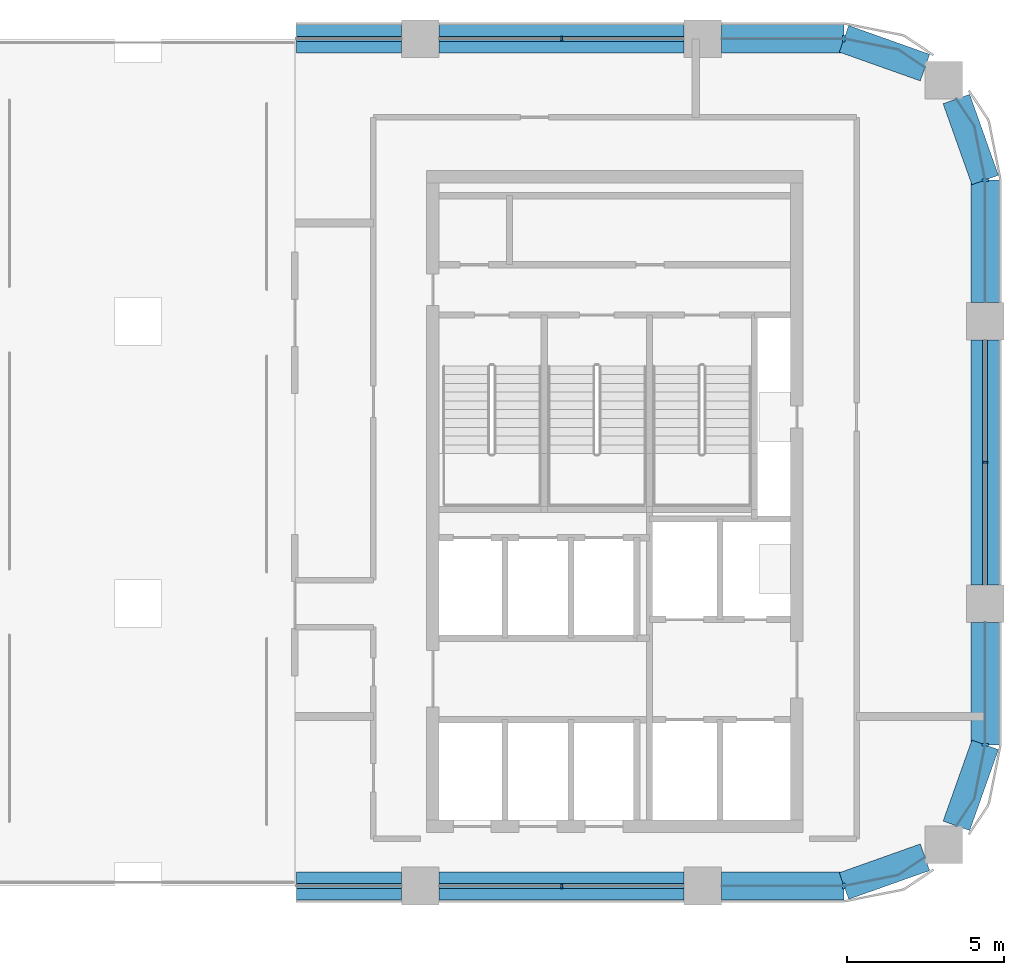
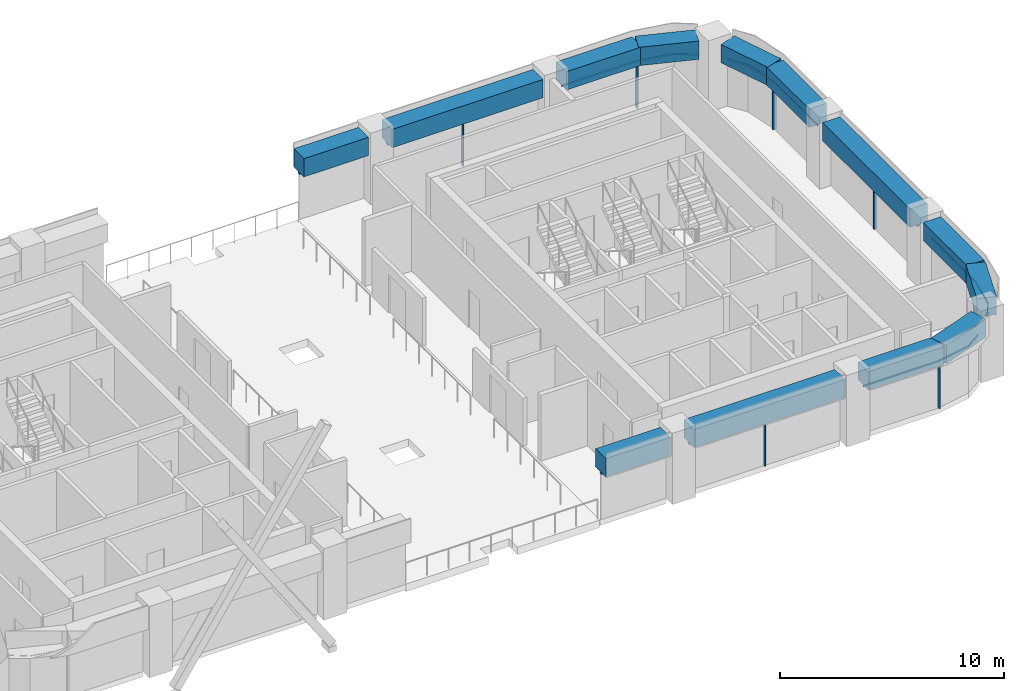
# One storey, part 3 of 11: 16 members, 13 beams, 9 elements without a shape of their own.
"""IFC4 building model written with IfcOpenShell, lengths in metres."""

from ifc_helpers import new_model, si_unit, direction, frame, origin, origin_2d, place, context, subcontext, project, spatial, polyline, rectangle, outline, extrude, material, material_profile, profile_set, type_object, element, aggregate, save


model = new_model("IFC4")

# Units and contexts
model_context = context("Model", 3, precision=1e-05, world=origin(), true_north=direction((0.0, 1.0)))
body_context = subcontext(model_context, "Body", "Model", "MODEL_VIEW")
ifc_project = project(units=[si_unit("LENGTHUNIT", "METRE"), si_unit("AREAUNIT", "SQUARE_METRE"), si_unit("VOLUMEUNIT", "CUBIC_METRE"), si_unit("PLANEANGLEUNIT", "RADIAN"), si_unit("MASSUNIT", "GRAM", prefix="KILO")], contexts=[model_context])

# Site, building, storey
site_placement = place(None, origin())
site = spatial("IfcSite", under=ifc_project, at=site_placement, CompositionType="ELEMENT")
building_placement = place(site_placement, origin())
building = spatial("IfcBuilding", under=site, at=building_placement, Name="Tessera Arch", CompositionType="ELEMENT")
storey_placement = place(building_placement, frame((0.0, 0.0, 203.300048828125)))
storey = spatial("IfcBuildingStorey", under=building, at=storey_placement, Name="L48", CompositionType="ELEMENT", Elevation=203.300048828125)

# Curtain wall, member
ifc_material_1 = material(Name="CW1 curtain wall")
curtain_wall_type_1 = type_object("IfcCurtainWallType", Name="CW1 curtain wall", PredefinedType="NOTDEFINED", material=ifc_material_1)
curtain_wall_1_placement = place(storey_placement, origin())
curtain_wall_1 = element("IfcCurtainWall", 1, at=curtain_wall_1_placement, inside=storey, type_object=curtain_wall_type_1, Name="CW1 curtain wall S27.32/1 L48", PredefinedType="NOTDEFINED")
ifc_material_2 = material(Name="Anodised aluminium pale metal", Category="aluminium")
ifc_material_profile_1 = material_profile(ifc_material_2, rectangle(XDim=0.159912109375, YDim=0.06005859375, at=origin_2d()), Name="AL 60x160")
ifc_profile_set_1 = profile_set([ifc_material_profile_1], Name="Anodised aluminium pale metal")
member_type_1 = type_object("IfcMemberType", Name="CW1 mullion", PredefinedType="MULLION", material=ifc_profile_set_1)
member_1_placement = place(storey_placement, frame((40.5, 27.0, 0.0), z_axis=(0.0, 0.0, 1.0), x_axis=(0.0, 1.0, 0.0)))
member_1 = element("IfcMember", 2, at=member_1_placement, type_object=member_type_1, Name="CW1 mullion S27.32/1 1", PredefinedType="MULLION", context=body_context, shape_type="SweptSolid", body=[
    extrude(rectangle(XDim=0.159912109375, YDim=0.06005859375, at=origin_2d()), origin(), (0.0, 0.0, 1.0), 2.5),
])

curtain_wall_2_placement = place(storey_placement, origin())
curtain_wall_2 = element("IfcCurtainWall", 3, at=curtain_wall_2_placement, inside=storey, type_object=curtain_wall_type_1, Name="CW1 curtain wall E54.27/1 L48", PredefinedType="NOTDEFINED")
member_2_placement = place(storey_placement, frame((54.0, 40.5, 0.0), z_axis=(0.0, 0.0, 1.0), x_axis=(-1.0, 0.0, 0.0)))
member_2 = element("IfcMember", 4, at=member_2_placement, type_object=member_type_1, Name="CW1 mullion E54.27/1 1", PredefinedType="MULLION", context=body_context, shape_type="SweptSolid", body=[
    extrude(rectangle(XDim=0.159912109375, YDim=0.06005859375, at=origin_2d()), origin(), (0.0, 0.0, 1.0), 2.5),
])

curtain_wall_3_placement = place(storey_placement, origin())
curtain_wall_3 = element("IfcCurtainWall", 5, at=curtain_wall_3_placement, inside=storey, type_object=curtain_wall_type_1, Name="CW1 curtain wall N54.32/1 L48", PredefinedType="NOTDEFINED")
member_3_placement = place(storey_placement, frame((40.5, 54.0, 0.0), z_axis=(0.0, 0.0, 1.0), x_axis=(0.0, -1.0, 0.0)))
member_3 = element("IfcMember", 6, at=member_3_placement, type_object=member_type_1, Name="CW1 mullion N54.32/1 1", PredefinedType="MULLION", context=body_context, shape_type="SweptSolid", body=[
    extrude(rectangle(XDim=0.159912109375, YDim=0.06005859375, at=origin_2d()), origin(), (0.0, 0.0, 1.0), 2.5),
])

curtain_wall_4_placement = place(storey_placement, origin())
curtain_wall_4 = element("IfcCurtainWall", 7, at=curtain_wall_4_placement, inside=storey, type_object=curtain_wall_type_1, Name="CW1 curtain wall S27.32/0 L48", PredefinedType="NOTDEFINED")
ifc_material_3 = material(Name="Anodised aluminium pale metal", Category="aluminium")
ifc_material_profile_2 = material_profile(ifc_material_3, rectangle(XDim=0.159912109375, YDim=0.10009765625, at=origin_2d()), Name="AL 160x100")
ifc_profile_set_2 = profile_set([ifc_material_profile_2], Name="Anodised aluminium pale metal")
member_type_2 = type_object("IfcMemberType", Name="CW1 transom", PredefinedType="USERDEFINED", material=ifc_profile_set_2)
member_4_placement = place(storey_placement, frame((32.050048828125, 27.0, 2.550048828125), z_axis=(1.0, 0.0, 0.0), x_axis=(0.0, 1.0, 0.0)))
member_4 = element("IfcMember", 8, at=member_4_placement, type_object=member_type_2, Name="CW1 transom S27.32/0 1.1", ObjectType="TRANSOM", PredefinedType="USERDEFINED", context=body_context, shape_type="SweptSolid", body=[
    extrude(rectangle(XDim=0.159912109375, YDim=0.10009765625, at=origin_2d()), origin(), (0.0, 0.0, 1.0), 3.349853515625),
])
aggregate(curtain_wall_4, [member_4])

# Member
member_5_placement = place(storey_placement, frame((36.60009765625, 27.0, 2.550048828125), z_axis=(1.0, 0.0, 0.0), x_axis=(0.0, 1.0, 0.0)))
member_5 = element("IfcMember", 9, at=member_5_placement, type_object=member_type_2, Name="CW1 transom S27.32/1 1.1", ObjectType="TRANSOM", PredefinedType="USERDEFINED", context=body_context, shape_type="SweptSolid", body=[
    extrude(rectangle(XDim=0.159912109375, YDim=0.10009765625, at=origin_2d()), origin(), (0.0, 0.0, 1.0), 7.7998046875),
])

aggregate(curtain_wall_1, [member_1, member_5])

member_6_placement = place(storey_placement, frame((54.0, 36.60009765625, 2.550048828125), z_axis=(0.0, 1.0, 0.0), x_axis=(-1.0, 0.0, 0.0)))
member_6 = element("IfcMember", 10, at=member_6_placement, type_object=member_type_2, Name="CW1 transom E54.27/1 1.1", ObjectType="TRANSOM", PredefinedType="USERDEFINED", context=body_context, shape_type="SweptSolid", body=[
    extrude(rectangle(XDim=0.159912109375, YDim=0.10009765625, at=origin_2d()), origin(), (0.0, 0.0, 1.0), 7.7998046875),
])

aggregate(curtain_wall_2, [member_2, member_6])

member_7_placement = place(storey_placement, frame((44.39990234375, 54.0, 2.550048828125), z_axis=(-1.0, 0.0, 0.0), x_axis=(0.0, -1.0, 0.0)))
member_7 = element("IfcMember", 11, at=member_7_placement, type_object=member_type_2, Name="CW1 transom N54.32/1 1.1", ObjectType="TRANSOM", PredefinedType="USERDEFINED", context=body_context, shape_type="SweptSolid", body=[
    extrude(rectangle(XDim=0.159912109375, YDim=0.10009765625, at=origin_2d()), origin(), (0.0, 0.0, 1.0), 7.7998046875),
])

aggregate(curtain_wall_3, [member_3, member_7])

# Curtain wall, member
curtain_wall_5_placement = place(storey_placement, origin())
curtain_wall_5 = element("IfcCurtainWall", 12, at=curtain_wall_5_placement, inside=storey, type_object=curtain_wall_type_1, Name="CW1 curtain wall N54.32/2 L48", PredefinedType="NOTDEFINED")
member_8_placement = place(storey_placement, frame((35.39990234375, 54.0, 2.550048828125), z_axis=(-1.0, 0.0, 0.0), x_axis=(0.0, -1.0, 0.0)))
member_8 = element("IfcMember", 13, at=member_8_placement, type_object=member_type_2, Name="CW1 transom N54.32/2 1.1", ObjectType="TRANSOM", PredefinedType="USERDEFINED", context=body_context, shape_type="SweptSolid", body=[
    extrude(rectangle(XDim=0.159912109375, YDim=0.10009765625, at=origin_2d()), origin(), (0.0, 0.0, 1.0), 3.349853515625),
])
aggregate(curtain_wall_5, [member_8])

ifc_material_4 = material(Name="CW2 curtain wall")
curtain_wall_type_2 = type_object("IfcCurtainWallType", Name="CW2 curtain wall", PredefinedType="NOTDEFINED", material=ifc_material_4)
curtain_wall_6_placement = place(storey_placement, origin())
curtain_wall_6 = element("IfcCurtainWall", 14, at=curtain_wall_6_placement, inside=storey, type_object=curtain_wall_type_2, Name="CW2 curtain wall S27.32/2 L48", PredefinedType="NOTDEFINED")
ifc_material_5 = material(Name="Anodised aluminium pale metal", Category="aluminium")
ifc_material_profile_3 = material_profile(ifc_material_5, rectangle(XDim=0.199951171875, YDim=0.080078125, at=origin_2d()), Name="AL 80x200")
ifc_profile_set_3 = profile_set([ifc_material_profile_3], Name="Anodised aluminium pale metal")
member_type_3 = type_object("IfcMemberType", Name="CW2 mullion", PredefinedType="MULLION", material=ifc_profile_set_3)
member_9_placement = place(storey_placement, frame((49.5, 27.0, 0.0), z_axis=(0.0, 0.0, 1.0), x_axis=(0.0, 1.0, 0.0)))
member_9 = element("IfcMember", 15, at=member_9_placement, type_object=member_type_3, Name="CW2 mullion S27.32/2 1", PredefinedType="MULLION", context=body_context, shape_type="SweptSolid", body=[
    extrude(rectangle(XDim=0.199951171875, YDim=0.080078125, at=origin_2d()), origin(), (0.0, 0.0, 1.0), 2.5),
])

curtain_wall_7_placement = place(storey_placement, origin())
curtain_wall_7 = element("IfcCurtainWall", 16, at=curtain_wall_7_placement, inside=storey, type_object=curtain_wall_type_2, Name="CW2 curtain wall E54.27/0 L48", PredefinedType="NOTDEFINED")
member_10_placement = place(storey_placement, frame((54.0, 31.5, 0.0), z_axis=(0.0, 0.0, 1.0), x_axis=(-1.0, 0.0, 0.0)))
member_10 = element("IfcMember", 17, at=member_10_placement, type_object=member_type_3, Name="CW2 mullion E54.27/0 1", PredefinedType="MULLION", context=body_context, shape_type="SweptSolid", body=[
    extrude(rectangle(XDim=0.199951171875, YDim=0.080078125, at=origin_2d()), origin(), (0.0, 0.0, 1.0), 2.5),
])

curtain_wall_8_placement = place(storey_placement, origin())
curtain_wall_8 = element("IfcCurtainWall", 18, at=curtain_wall_8_placement, inside=storey, type_object=curtain_wall_type_2, Name="CW2 curtain wall E54.27/2 L48", PredefinedType="NOTDEFINED")
member_11_placement = place(storey_placement, frame((54.0, 49.5, 0.0), z_axis=(0.0, 0.0, 1.0), x_axis=(-1.0, 0.0, 0.0)))
member_11 = element("IfcMember", 19, at=member_11_placement, type_object=member_type_3, Name="CW2 mullion E54.27/2 1", PredefinedType="MULLION", context=body_context, shape_type="SweptSolid", body=[
    extrude(rectangle(XDim=0.199951171875, YDim=0.080078125, at=origin_2d()), origin(), (0.0, 0.0, 1.0), 2.5),
])

curtain_wall_9_placement = place(storey_placement, origin())
curtain_wall_9 = element("IfcCurtainWall", 20, at=curtain_wall_9_placement, inside=storey, type_object=curtain_wall_type_2, Name="CW2 curtain wall N54.32/0 L48", PredefinedType="NOTDEFINED")
member_12_placement = place(storey_placement, frame((49.5, 54.0, 0.0), z_axis=(0.0, 0.0, 1.0), x_axis=(0.0, -1.0, 0.0)))
member_12 = element("IfcMember", 21, at=member_12_placement, type_object=member_type_3, Name="CW2 mullion N54.32/0 1", PredefinedType="MULLION", context=body_context, shape_type="SweptSolid", body=[
    extrude(rectangle(XDim=0.199951171875, YDim=0.080078125, at=origin_2d()), origin(), (0.0, 0.0, 1.0), 2.5),
])

# Member
ifc_material_6 = material(Name="Anodised aluminium pale metal", Category="aluminium")
ifc_material_profile_4 = material_profile(ifc_material_6, rectangle(XDim=0.199951171875, YDim=0.10009765625, at=origin_2d()), Name="AL 200x100")
ifc_profile_set_4 = profile_set([ifc_material_profile_4], Name="Anodised aluminium pale metal")
member_type_4 = type_object("IfcMemberType", Name="CW2 transom", PredefinedType="USERDEFINED", material=ifc_profile_set_4)
member_13_placement = place(storey_placement, frame((0.0, 0.0, 2.5)))
member_13 = element("IfcMember", 22, at=member_13_placement, type_object=member_type_4, Name="CW2 transom S27.32/2 1", ObjectType="TRANSOM", PredefinedType="USERDEFINED", context=body_context, shape_type="SweptSolid", body=[
    extrude(outline(polyline([(49.4990234375, 27.010009765625), (45.60009765625, 27.010009765625), (45.60009765625, 26.989990234375), (49.5009765625, 26.989990234375), (51.22607421875, 27.3330078125), (52.087646484375, 27.90869140625), (52.076416015625, 27.92529296875), (51.21826171875, 27.351806640625), (49.4990234375, 27.010009765625)])), origin(), (0.0, 0.0, 1.0), 0.099853515625),
])

aggregate(curtain_wall_6, [member_9, member_13])

member_14_placement = place(storey_placement, frame((0.0, 0.0, 2.5)))
member_14 = element("IfcMember", 23, at=member_14_placement, type_object=member_type_4, Name="CW2 transom E54.27/0 1", ObjectType="TRANSOM", PredefinedType="USERDEFINED", context=body_context, shape_type="SweptSolid", body=[
    extrude(outline(polyline([(53.648193359375, 29.78173828125), (53.07470703125, 28.923583984375), (53.09130859375, 28.912353515625), (53.6669921875, 29.77392578125), (54.010009765625, 31.4990234375), (54.010009765625, 35.39990234375), (53.989990234375, 35.39990234375), (53.989990234375, 31.5009765625), (53.648193359375, 29.78173828125)])), origin(), (0.0, 0.0, 1.0), 0.099853515625),
])

aggregate(curtain_wall_7, [member_10, member_14])

member_15_placement = place(storey_placement, frame((0.0, 0.0, 2.5)))
member_15 = element("IfcMember", 24, at=member_15_placement, type_object=member_type_4, Name="CW2 transom E54.27/2 1", ObjectType="TRANSOM", PredefinedType="USERDEFINED", context=body_context, shape_type="SweptSolid", body=[
    extrude(outline(polyline([(53.989990234375, 49.4990234375), (53.989990234375, 45.60009765625), (54.010009765625, 45.60009765625), (54.010009765625, 49.5009765625), (53.6669921875, 51.22607421875), (53.09130859375, 52.087646484375), (53.07470703125, 52.076416015625), (53.648193359375, 51.21826171875), (53.989990234375, 49.4990234375)])), origin(), (0.0, 0.0, 1.0), 0.099853515625),
])

aggregate(curtain_wall_8, [member_11, member_15])

member_16_placement = place(storey_placement, frame((0.0, 0.0, 2.5)))
member_16 = element("IfcMember", 25, at=member_16_placement, type_object=member_type_4, Name="CW2 transom N54.32/0 1", ObjectType="TRANSOM", PredefinedType="USERDEFINED", context=body_context, shape_type="SweptSolid", body=[
    extrude(outline(polyline([(51.21826171875, 53.648193359375), (52.076416015625, 53.07470703125), (52.087646484375, 53.09130859375), (51.22607421875, 53.6669921875), (49.5009765625, 54.010009765625), (45.60009765625, 54.010009765625), (45.60009765625, 53.989990234375), (49.4990234375, 53.989990234375), (51.21826171875, 53.648193359375)])), origin(), (0.0, 0.0, 1.0), 0.099853515625),
])

aggregate(curtain_wall_9, [member_12, member_16])

# Beams
ifc_material_7 = material(Name="Concrete C60/75", Category="concrete")
ifc_material_profile_5 = material_profile(ifc_material_7, rectangle(XDim=0.89990234375, YDim=1.0, at=origin_2d()), Name="RC spandrel beam 900 x 1000 Concrete C60/75")
ifc_profile_set_5 = profile_set([ifc_material_profile_5], Name="Concrete C60/75")
beam_type = type_object("IfcBeamType", Name="RC spandrel beam 900 x 1000 Concrete C60/75", PredefinedType="BEAM", material=ifc_profile_set_5)
beam_1_placement = place(storey_placement, frame((32.050048828125, 27.0, 3.099853515625), z_axis=(1.0, 0.0, 0.0), x_axis=(0.0, 1.0, 0.0)))
element("IfcBeam", 26, at=beam_1_placement, inside=storey, type_object=beam_type, Name="Spandrel beam L48 S27.32/0", PredefinedType="BEAM", context=body_context, shape_type="SweptSolid", body=[
    extrude(rectangle(XDim=0.89990234375, YDim=1.0, at=origin_2d()), origin(), (0.0, 0.0, 1.0), 3.349853515625),
])
beam_2_placement = place(storey_placement, frame((36.60009765625, 27.0, 3.099853515625), z_axis=(1.0, 0.0, 0.0), x_axis=(0.0, 1.0, 0.0)))
element("IfcBeam", 27, at=beam_2_placement, inside=storey, type_object=beam_type, Name="Spandrel beam L48 S27.32/1", PredefinedType="BEAM", context=body_context, shape_type="SweptSolid", body=[
    extrude(rectangle(XDim=0.89990234375, YDim=1.0, at=origin_2d()), origin(), (0.0, 0.0, 1.0), 7.7998046875),
])
beam_3_placement = place(storey_placement, frame((45.60009765625, 27.0, 3.099853515625), z_axis=(1.0, 0.0, 0.0), x_axis=(0.0, 1.0, 0.0)))
element("IfcBeam", 28, at=beam_3_placement, inside=storey, type_object=beam_type, Name="Spandrel beam L48 S27.32/2.1", PredefinedType="BEAM", context=body_context, shape_type="SweptSolid", body=[
    extrude(rectangle(XDim=0.89990234375, YDim=1.0, at=origin_2d()), origin(), (0.0, 0.0, 1.0), 3.89990234375),
])
for number, where, z_axis, x_axis, name in (
    (29, (49.5, 27.0, 3.099853515625), (0.942337127159, 0.334665114373, 0.0), (-0.334665114373, 0.942337127159, 0.0), "Spandrel beam L48 S27.32/2.2"),
    (30, (53.0830078125, 28.91796875, 3.099853515625), (0.334665114373, 0.942337127159, 0.0), (-0.942337127159, 0.334665114373, 0.0), "Spandrel beam L48 E54.27/0.1"),
):
    element("IfcBeam", number, at=place(storey_placement, frame(where, z_axis=z_axis, x_axis=x_axis)), inside=storey, type_object=beam_type, Name=name, PredefinedType="BEAM", context=body_context, shape_type="SweptSolid", body=[
        extrude(rectangle(XDim=0.89990234375, YDim=1.0, at=origin_2d()), origin(), (0.0, 0.0, 1.0), 2.739990234375),
    ])
beam_4_placement = place(storey_placement, frame((54.0, 31.5, 3.099853515625), z_axis=(0.0, 1.0, 0.0), x_axis=(-1.0, 0.0, 0.0)))
element("IfcBeam", 31, at=beam_4_placement, inside=storey, type_object=beam_type, Name="Spandrel beam L48 E54.27/0.2", PredefinedType="BEAM", context=body_context, shape_type="SweptSolid", body=[
    extrude(rectangle(XDim=0.89990234375, YDim=1.0, at=origin_2d()), origin(), (0.0, 0.0, 1.0), 3.89990234375),
])
beam_5_placement = place(storey_placement, frame((54.0, 36.60009765625, 3.099853515625), z_axis=(0.0, 1.0, 0.0), x_axis=(-1.0, 0.0, 0.0)))
element("IfcBeam", 32, at=beam_5_placement, inside=storey, type_object=beam_type, Name="Spandrel beam L48 E54.27/1", PredefinedType="BEAM", context=body_context, shape_type="SweptSolid", body=[
    extrude(rectangle(XDim=0.89990234375, YDim=1.0, at=origin_2d()), origin(), (0.0, 0.0, 1.0), 7.7998046875),
])
beam_6_placement = place(storey_placement, frame((54.0, 45.60009765625, 3.099853515625), z_axis=(0.0, 1.0, 0.0), x_axis=(-1.0, 0.0, 0.0)))
element("IfcBeam", 33, at=beam_6_placement, inside=storey, type_object=beam_type, Name="Spandrel beam L48 E54.27/2.1", PredefinedType="BEAM", context=body_context, shape_type="SweptSolid", body=[
    extrude(rectangle(XDim=0.89990234375, YDim=1.0, at=origin_2d()), origin(), (0.0, 0.0, 1.0), 3.89990234375),
])
for number, where, z_axis, x_axis, name in (
    (34, (54.0, 49.5, 3.099853515625), (-0.334665114373, 0.942337127159, 0.0), (-0.942337127159, -0.334665114373, 0.0), "Spandrel beam L48 E54.27/2.2"),
    (35, (52.08203125, 53.0830078125, 3.099853515625), (-0.942337127159, 0.334665114373, 0.0), (-0.334665114373, -0.942337127159, 0.0), "Spandrel beam L48 N54.32/0.1"),
):
    element("IfcBeam", number, at=place(storey_placement, frame(where, z_axis=z_axis, x_axis=x_axis)), inside=storey, type_object=beam_type, Name=name, PredefinedType="BEAM", context=body_context, shape_type="SweptSolid", body=[
        extrude(rectangle(XDim=0.89990234375, YDim=1.0, at=origin_2d()), origin(), (0.0, 0.0, 1.0), 2.739990234375),
    ])
beam_7_placement = place(storey_placement, frame((49.5, 54.0, 3.099853515625), z_axis=(-1.0, 0.0, 0.0), x_axis=(0.0, -1.0, 0.0)))
element("IfcBeam", 36, at=beam_7_placement, inside=storey, type_object=beam_type, Name="Spandrel beam L48 N54.32/0.2", PredefinedType="BEAM", context=body_context, shape_type="SweptSolid", body=[
    extrude(rectangle(XDim=0.89990234375, YDim=1.0, at=origin_2d()), origin(), (0.0, 0.0, 1.0), 3.89990234375),
])
beam_8_placement = place(storey_placement, frame((44.39990234375, 54.0, 3.099853515625), z_axis=(-1.0, 0.0, 0.0), x_axis=(0.0, -1.0, 0.0)))
element("IfcBeam", 37, at=beam_8_placement, inside=storey, type_object=beam_type, Name="Spandrel beam L48 N54.32/1", PredefinedType="BEAM", context=body_context, shape_type="SweptSolid", body=[
    extrude(rectangle(XDim=0.89990234375, YDim=1.0, at=origin_2d()), origin(), (0.0, 0.0, 1.0), 7.7998046875),
])
beam_9_placement = place(storey_placement, frame((35.39990234375, 54.0, 3.099853515625), z_axis=(-1.0, 0.0, 0.0), x_axis=(0.0, -1.0, 0.0)))
element("IfcBeam", 38, at=beam_9_placement, inside=storey, type_object=beam_type, Name="Spandrel beam L48 N54.32/2", PredefinedType="BEAM", context=body_context, shape_type="SweptSolid", body=[
    extrude(rectangle(XDim=0.89990234375, YDim=1.0, at=origin_2d()), origin(), (0.0, 0.0, 1.0), 3.349853515625),
])

save(model, "model.ifc")
